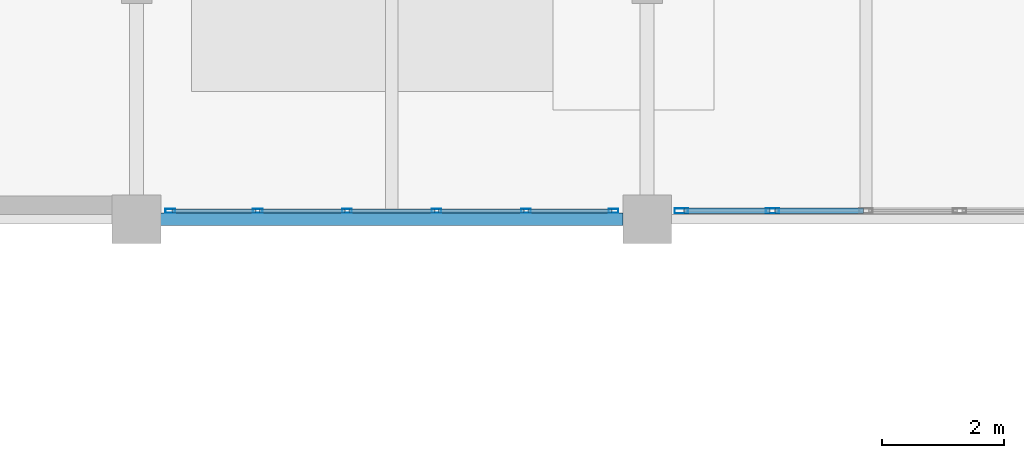
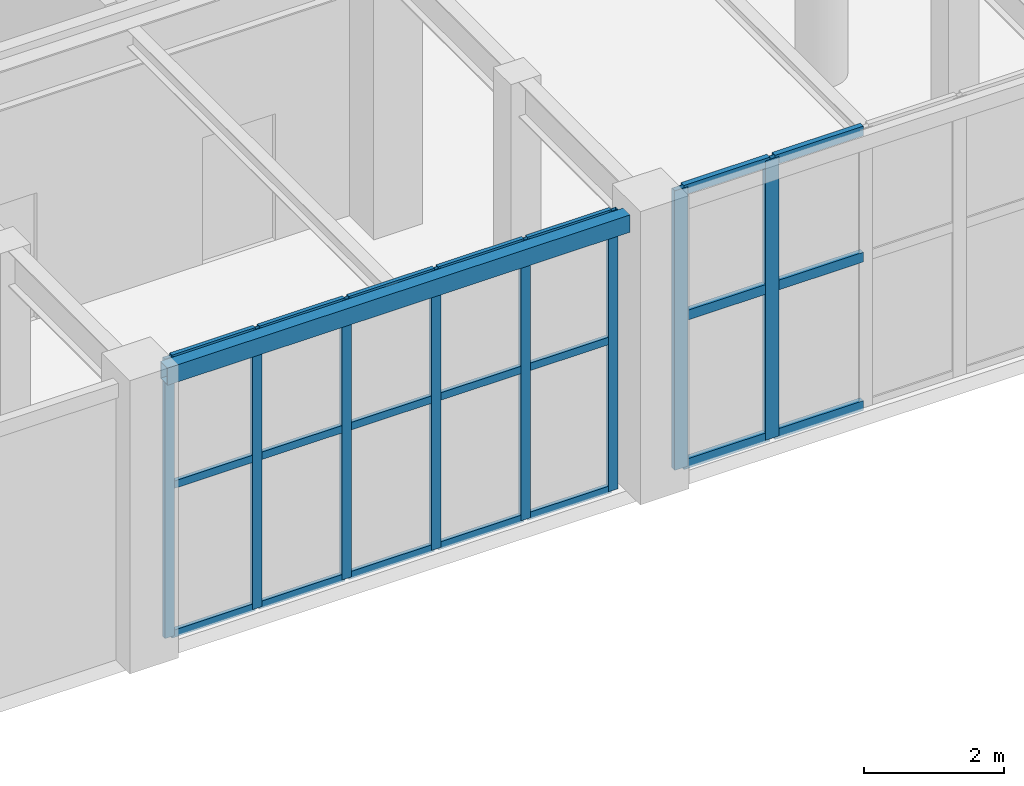
# One storey, part 41 of 128: 29 members, 1 beam, 2 elements without a shape of their own.
"""IFC4 building model written with IfcOpenShell, lengths in metres."""

from ifc_helpers import new_model, si_unit, direction, frame, origin, origin_2d, place, context, subcontext, project, spatial, hollow_rectangle, extrude, material, layer, layer_set, material_profile, profile_set, type_object, element, aggregate, save


model = new_model("IFC4")

# Units and contexts
model_context = context("Model", 3, precision=1e-05, world=origin(), true_north=direction((0.0, 1.0)))
body_context = subcontext(model_context, "Body", "Model", "MODEL_VIEW")
ifc_project = project(units=[si_unit("LENGTHUNIT", "METRE"), si_unit("AREAUNIT", "SQUARE_METRE"), si_unit("VOLUMEUNIT", "CUBIC_METRE"), si_unit("PLANEANGLEUNIT", "RADIAN"), si_unit("MASSUNIT", "GRAM", prefix="KILO")], contexts=[model_context])

# Site, building, storey
site_placement = place(None, origin())
site = spatial("IfcSite", under=ifc_project, at=site_placement, CompositionType="ELEMENT")
building_placement = place(site_placement, origin())
building = spatial("IfcBuilding", under=site, at=building_placement, Name="Xicomal Pleat Aquarium", CompositionType="ELEMENT")
storey_placement = place(building_placement, frame((0.0, 0.0, 5.39990234375)))
storey = spatial("IfcBuildingStorey", under=building, at=storey_placement, Name="L02", CompositionType="ELEMENT", Elevation=5.39990234375)

# Beam
ifc_material_1 = material(Name="Structural steel A500 Gr C", Category="steel")
ifc_material_profile_1 = material_profile(ifc_material_1, hollow_rectangle(XDim=0.199951171875, YDim=0.300048828125, WallThickness=0.011962890625, at=origin_2d()), Name="OR 300x200x12")
ifc_profile_set_1 = profile_set([ifc_material_profile_1], Name="Structural steel A500 Gr C")
beam_type = type_object("IfcBeamType", Name="BM-STL-OR300", PredefinedType="SPANDREL", material=ifc_profile_set_1)
beam_placement = place(storey_placement, frame((102.9951171875, 38.0, 4.710205078125), z_axis=(1.0, 0.0, 0.0), x_axis=(0.0, 1.0, 0.0)))
element("IfcBeam", 1, at=beam_placement, inside=storey, type_object=beam_type, Name="L02 framing beam FGX-L02-13-14-F", PredefinedType="SPANDREL", context=body_context, shape_type="SweptSolid", body=[
    extrude(hollow_rectangle(XDim=0.199951171875, YDim=0.300048828125, WallThickness=0.011962890625, at=origin_2d()), origin(), (0.0, 0.0, 1.0), 7.60986328125),
])

# Curtain wall, members
ifc_material_2 = material(Name="Bronze anodized aluminium 6063-T6", Category="aluminium")
ifc_layer_1 = layer(ifc_material_2, 0.159912109375)
ifc_layer_set_1 = layer_set([ifc_layer_1], Name="Bronze anodized aluminium 6063-T6")
curtain_wall_type_1 = type_object("IfcCurtainWallType", Name="CW-SYS-02", PredefinedType="NOTDEFINED", material=ifc_layer_set_1)
curtain_wall_1_placement = place(storey_placement, origin())
curtain_wall_1 = element("IfcCurtainWall", 2, at=curtain_wall_1_placement, inside=storey, type_object=curtain_wall_type_1, Name="L02 unitised curtain wall CW-L02-117", PredefinedType="NOTDEFINED")
ifc_material_3 = material(Name="Bronze anodized aluminium 6063-T6", Category="aluminium")
ifc_material_profile_2 = material_profile(ifc_material_3, hollow_rectangle(XDim=0.06494140625, YDim=0.159912109375, WallThickness=0.00390625, at=origin_2d()), Name="ALU MULL 65x160")
ifc_profile_set_2 = profile_set([ifc_material_profile_2], Name="Bronze anodized aluminium 6063-T6")
member_type_1 = type_object("IfcMemberType", Name="CWM-65x160", PredefinedType="MULLION", material=ifc_profile_set_2)
member_1_placement = place(storey_placement, frame((110.447509765625, 38.139892578125, 0.0), z_axis=(0.0, 0.0, 1.0), x_axis=(0.0, -1.0, 0.0)))
member_1 = element("IfcMember", 3, at=member_1_placement, type_object=member_type_1, Name="CW-02 mullion 1", PredefinedType="MULLION", context=body_context, shape_type="SweptSolid", body=[
    extrude(hollow_rectangle(XDim=0.06494140625, YDim=0.159912109375, WallThickness=0.00390625, at=origin_2d()), origin(), (0.0, 0.0, 1.0), 4.860107421875),
])
member_2_placement = place(storey_placement, frame((109.008056640625, 38.139892578125, 0.0), z_axis=(0.0, 0.0, 1.0), x_axis=(0.0, -1.0, 0.0)))
member_2 = element("IfcMember", 4, at=member_2_placement, type_object=member_type_1, Name="CW-02 mullion 2", PredefinedType="MULLION", context=body_context, shape_type="SweptSolid", body=[
    extrude(hollow_rectangle(XDim=0.06494140625, YDim=0.159912109375, WallThickness=0.00390625, at=origin_2d()), origin(), (0.0, 0.0, 1.0), 4.860107421875),
])
member_3_placement = place(storey_placement, frame((107.535888671875, 38.139892578125, 0.0), z_axis=(0.0, 0.0, 1.0), x_axis=(0.0, -1.0, 0.0)))
member_3 = element("IfcMember", 5, at=member_3_placement, type_object=member_type_1, Name="CW-02 mullion 3", PredefinedType="MULLION", context=body_context, shape_type="SweptSolid", body=[
    extrude(hollow_rectangle(XDim=0.06494140625, YDim=0.159912109375, WallThickness=0.00390625, at=origin_2d()), origin(), (0.0, 0.0, 1.0), 4.860107421875),
])
member_4_placement = place(storey_placement, frame((106.06396484375, 38.139892578125, 0.0), z_axis=(0.0, 0.0, 1.0), x_axis=(0.0, -1.0, 0.0)))
member_4 = element("IfcMember", 6, at=member_4_placement, type_object=member_type_1, Name="CW-02 mullion 4", PredefinedType="MULLION", context=body_context, shape_type="SweptSolid", body=[
    extrude(hollow_rectangle(XDim=0.06494140625, YDim=0.159912109375, WallThickness=0.00390625, at=origin_2d()), origin(), (0.0, 0.0, 1.0), 4.860107421875),
])
member_5_placement = place(storey_placement, frame((104.592041015625, 38.139892578125, 0.0), z_axis=(0.0, 0.0, 1.0), x_axis=(0.0, -1.0, 0.0)))
member_5 = element("IfcMember", 7, at=member_5_placement, type_object=member_type_1, Name="CW-02 mullion 5", PredefinedType="MULLION", context=body_context, shape_type="SweptSolid", body=[
    extrude(hollow_rectangle(XDim=0.06494140625, YDim=0.159912109375, WallThickness=0.00390625, at=origin_2d()), origin(), (0.0, 0.0, 1.0), 4.860107421875),
])
member_6_placement = place(storey_placement, frame((103.152587890625, 38.139892578125, 0.0), z_axis=(0.0, 0.0, 1.0), x_axis=(0.0, -1.0, 0.0)))
member_6 = element("IfcMember", 8, at=member_6_placement, type_object=member_type_1, Name="CW-02 mullion 6", PredefinedType="MULLION", context=body_context, shape_type="SweptSolid", body=[
    extrude(hollow_rectangle(XDim=0.06494140625, YDim=0.159912109375, WallThickness=0.00390625, at=origin_2d()), origin(), (0.0, 0.0, 1.0), 4.860107421875),
])

ifc_material_4 = material(Name="Bronze anodized aluminium 6063-T6", Category="aluminium")
ifc_layer_2 = layer(ifc_material_4, 0.159912109375)
ifc_layer_set_2 = layer_set([ifc_layer_2], Name="Bronze anodized aluminium 6063-T6")
curtain_wall_type_2 = type_object("IfcCurtainWallType", Name="CW-SYS-12", PredefinedType="NOTDEFINED", material=ifc_layer_set_2)
curtain_wall_2_placement = place(storey_placement, origin())
curtain_wall_2 = element("IfcCurtainWall", 9, at=curtain_wall_2_placement, inside=storey, type_object=curtain_wall_type_2, Name="L02 unitised curtain wall CW-L02-116", PredefinedType="NOTDEFINED")
ifc_material_5 = material(Name="Bronze anodized aluminium 6063-T6", Category="aluminium")
ifc_material_profile_3 = material_profile(ifc_material_5, hollow_rectangle(XDim=0.0849609375, YDim=0.219970703125, WallThickness=0.0048828125, at=origin_2d()), Name="ALU MULL 85x220")
ifc_profile_set_3 = profile_set([ifc_material_profile_3], Name="Bronze anodized aluminium 6063-T6")
member_type_2 = type_object("IfcMemberType", Name="CWM-85x220", PredefinedType="MULLION", material=ifc_profile_set_3)
member_7_placement = place(storey_placement, frame((113.06005859375, 38.139892578125, 0.0), z_axis=(0.0, 0.0, 1.0), x_axis=(0.0, -1.0, 0.0)))
member_7 = element("IfcMember", 10, at=member_7_placement, type_object=member_type_2, Name="CW-12 mullion 4", PredefinedType="MULLION", context=body_context, shape_type="SweptSolid", body=[
    extrude(hollow_rectangle(XDim=0.0849609375, YDim=0.219970703125, WallThickness=0.0048828125, at=origin_2d()), origin(), (0.0, 0.0, 1.0), 4.860107421875),
])
member_8_placement = place(storey_placement, frame((111.5625, 38.139892578125, 0.0), z_axis=(0.0, 0.0, 1.0), x_axis=(0.0, -1.0, 0.0)))
member_8 = element("IfcMember", 11, at=member_8_placement, type_object=member_type_2, Name="CW-12 mullion 5", PredefinedType="MULLION", context=body_context, shape_type="SweptSolid", body=[
    extrude(hollow_rectangle(XDim=0.0849609375, YDim=0.219970703125, WallThickness=0.0048828125, at=origin_2d()), origin(), (0.0, 0.0, 1.0), 4.860107421875),
])

# Member
ifc_material_6 = material(Name="Bronze anodized aluminium 6063-T6", Category="aluminium")
ifc_material_profile_4 = material_profile(ifc_material_6, hollow_rectangle(XDim=0.06494140625, YDim=0.1298828125, WallThickness=0.00390625, at=origin_2d()), Name="ALU TRAN 65x130")
ifc_profile_set_4 = profile_set([ifc_material_profile_4], Name="Bronze anodized aluminium 6063-T6")
member_type_3 = type_object("IfcMemberType", Name="CWT-65x130", PredefinedType="USERDEFINED", material=ifc_profile_set_4)
member_9_placement = place(storey_placement, frame((110.4150390625, 38.139892578125, 0.03271484375), z_axis=(-1.0, 0.0, 0.0), x_axis=(0.0, -1.0, 0.0)))
member_9 = element("IfcMember", 12, at=member_9_placement, type_object=member_type_3, Name="CW-02 transom 1.1", ObjectType="TRANSOM", PredefinedType="USERDEFINED", context=body_context, shape_type="SweptSolid", body=[
    extrude(hollow_rectangle(XDim=0.06494140625, YDim=0.1298828125, WallThickness=0.00390625, at=origin_2d()), origin(), (0.0, 0.0, 1.0), 1.37451171875),
])

member_10_placement = place(storey_placement, frame((110.4150390625, 38.139892578125, 2.6240234375), z_axis=(-1.0, 0.0, 0.0), x_axis=(0.0, -1.0, 0.0)))
member_10 = element("IfcMember", 13, at=member_10_placement, type_object=member_type_3, Name="CW-02 transom 1.2", ObjectType="TRANSOM", PredefinedType="USERDEFINED", context=body_context, shape_type="SweptSolid", body=[
    extrude(hollow_rectangle(XDim=0.06494140625, YDim=0.1298828125, WallThickness=0.00390625, at=origin_2d()), origin(), (0.0, 0.0, 1.0), 1.37451171875),
])

member_11_placement = place(storey_placement, frame((110.4150390625, 38.139892578125, 4.82763671875), z_axis=(-1.0, 0.0, 0.0), x_axis=(0.0, -1.0, 0.0)))
member_11 = element("IfcMember", 14, at=member_11_placement, type_object=member_type_3, Name="CW-02 transom 1.3", ObjectType="TRANSOM", PredefinedType="USERDEFINED", context=body_context, shape_type="SweptSolid", body=[
    extrude(hollow_rectangle(XDim=0.06494140625, YDim=0.1298828125, WallThickness=0.00390625, at=origin_2d()), origin(), (0.0, 0.0, 1.0), 1.37451171875),
])

member_12_placement = place(storey_placement, frame((108.9755859375, 38.139892578125, 0.03271484375), z_axis=(-1.0, 0.0, 0.0), x_axis=(0.0, -1.0, 0.0)))
member_12 = element("IfcMember", 15, at=member_12_placement, type_object=member_type_3, Name="CW-02 transom 2.1", ObjectType="TRANSOM", PredefinedType="USERDEFINED", context=body_context, shape_type="SweptSolid", body=[
    extrude(hollow_rectangle(XDim=0.06494140625, YDim=0.1298828125, WallThickness=0.00390625, at=origin_2d()), origin(), (0.0, 0.0, 1.0), 1.406982421875),
])

member_13_placement = place(storey_placement, frame((108.9755859375, 38.139892578125, 2.6240234375), z_axis=(-1.0, 0.0, 0.0), x_axis=(0.0, -1.0, 0.0)))
member_13 = element("IfcMember", 16, at=member_13_placement, type_object=member_type_3, Name="CW-02 transom 2.2", ObjectType="TRANSOM", PredefinedType="USERDEFINED", context=body_context, shape_type="SweptSolid", body=[
    extrude(hollow_rectangle(XDim=0.06494140625, YDim=0.1298828125, WallThickness=0.00390625, at=origin_2d()), origin(), (0.0, 0.0, 1.0), 1.406982421875),
])

member_14_placement = place(storey_placement, frame((108.9755859375, 38.139892578125, 4.82763671875), z_axis=(-1.0, 0.0, 0.0), x_axis=(0.0, -1.0, 0.0)))
member_14 = element("IfcMember", 17, at=member_14_placement, type_object=member_type_3, Name="CW-02 transom 2.3", ObjectType="TRANSOM", PredefinedType="USERDEFINED", context=body_context, shape_type="SweptSolid", body=[
    extrude(hollow_rectangle(XDim=0.06494140625, YDim=0.1298828125, WallThickness=0.00390625, at=origin_2d()), origin(), (0.0, 0.0, 1.0), 1.406982421875),
])

member_15_placement = place(storey_placement, frame((107.50341796875, 38.139892578125, 0.03271484375), z_axis=(-1.0, 0.0, 0.0), x_axis=(0.0, -1.0, 0.0)))
member_15 = element("IfcMember", 18, at=member_15_placement, type_object=member_type_3, Name="CW-02 transom 3.1", ObjectType="TRANSOM", PredefinedType="USERDEFINED", context=body_context, shape_type="SweptSolid", body=[
    extrude(hollow_rectangle(XDim=0.06494140625, YDim=0.1298828125, WallThickness=0.00390625, at=origin_2d()), origin(), (0.0, 0.0, 1.0), 1.406982421875),
])

member_16_placement = place(storey_placement, frame((107.50341796875, 38.139892578125, 2.6240234375), z_axis=(-1.0, 0.0, 0.0), x_axis=(0.0, -1.0, 0.0)))
member_16 = element("IfcMember", 19, at=member_16_placement, type_object=member_type_3, Name="CW-02 transom 3.2", ObjectType="TRANSOM", PredefinedType="USERDEFINED", context=body_context, shape_type="SweptSolid", body=[
    extrude(hollow_rectangle(XDim=0.06494140625, YDim=0.1298828125, WallThickness=0.00390625, at=origin_2d()), origin(), (0.0, 0.0, 1.0), 1.406982421875),
])

member_17_placement = place(storey_placement, frame((107.50341796875, 38.139892578125, 4.82763671875), z_axis=(-1.0, 0.0, 0.0), x_axis=(0.0, -1.0, 0.0)))
member_17 = element("IfcMember", 20, at=member_17_placement, type_object=member_type_3, Name="CW-02 transom 3.3", ObjectType="TRANSOM", PredefinedType="USERDEFINED", context=body_context, shape_type="SweptSolid", body=[
    extrude(hollow_rectangle(XDim=0.06494140625, YDim=0.1298828125, WallThickness=0.00390625, at=origin_2d()), origin(), (0.0, 0.0, 1.0), 1.406982421875),
])

member_18_placement = place(storey_placement, frame((106.031494140625, 38.139892578125, 0.03271484375), z_axis=(-1.0, 0.0, 0.0), x_axis=(0.0, -1.0, 0.0)))
member_18 = element("IfcMember", 21, at=member_18_placement, type_object=member_type_3, Name="CW-02 transom 4.1", ObjectType="TRANSOM", PredefinedType="USERDEFINED", context=body_context, shape_type="SweptSolid", body=[
    extrude(hollow_rectangle(XDim=0.06494140625, YDim=0.1298828125, WallThickness=0.00390625, at=origin_2d()), origin(), (0.0, 0.0, 1.0), 1.406982421875),
])

member_19_placement = place(storey_placement, frame((106.031494140625, 38.139892578125, 2.6240234375), z_axis=(-1.0, 0.0, 0.0), x_axis=(0.0, -1.0, 0.0)))
member_19 = element("IfcMember", 22, at=member_19_placement, type_object=member_type_3, Name="CW-02 transom 4.2", ObjectType="TRANSOM", PredefinedType="USERDEFINED", context=body_context, shape_type="SweptSolid", body=[
    extrude(hollow_rectangle(XDim=0.06494140625, YDim=0.1298828125, WallThickness=0.00390625, at=origin_2d()), origin(), (0.0, 0.0, 1.0), 1.406982421875),
])

member_20_placement = place(storey_placement, frame((106.031494140625, 38.139892578125, 4.82763671875), z_axis=(-1.0, 0.0, 0.0), x_axis=(0.0, -1.0, 0.0)))
member_20 = element("IfcMember", 23, at=member_20_placement, type_object=member_type_3, Name="CW-02 transom 4.3", ObjectType="TRANSOM", PredefinedType="USERDEFINED", context=body_context, shape_type="SweptSolid", body=[
    extrude(hollow_rectangle(XDim=0.06494140625, YDim=0.1298828125, WallThickness=0.00390625, at=origin_2d()), origin(), (0.0, 0.0, 1.0), 1.406982421875),
])

member_21_placement = place(storey_placement, frame((104.5595703125, 38.139892578125, 0.03271484375), z_axis=(-1.0, 0.0, 0.0), x_axis=(0.0, -1.0, 0.0)))
member_21 = element("IfcMember", 24, at=member_21_placement, type_object=member_type_3, Name="CW-02 transom 5.1", ObjectType="TRANSOM", PredefinedType="USERDEFINED", context=body_context, shape_type="SweptSolid", body=[
    extrude(hollow_rectangle(XDim=0.06494140625, YDim=0.1298828125, WallThickness=0.00390625, at=origin_2d()), origin(), (0.0, 0.0, 1.0), 1.37451171875),
])

member_22_placement = place(storey_placement, frame((104.5595703125, 38.139892578125, 2.6240234375), z_axis=(-1.0, 0.0, 0.0), x_axis=(0.0, -1.0, 0.0)))
member_22 = element("IfcMember", 25, at=member_22_placement, type_object=member_type_3, Name="CW-02 transom 5.2", ObjectType="TRANSOM", PredefinedType="USERDEFINED", context=body_context, shape_type="SweptSolid", body=[
    extrude(hollow_rectangle(XDim=0.06494140625, YDim=0.1298828125, WallThickness=0.00390625, at=origin_2d()), origin(), (0.0, 0.0, 1.0), 1.37451171875),
])

member_23_placement = place(storey_placement, frame((104.5595703125, 38.139892578125, 4.82763671875), z_axis=(-1.0, 0.0, 0.0), x_axis=(0.0, -1.0, 0.0)))
member_23 = element("IfcMember", 26, at=member_23_placement, type_object=member_type_3, Name="CW-02 transom 5.3", ObjectType="TRANSOM", PredefinedType="USERDEFINED", context=body_context, shape_type="SweptSolid", body=[
    extrude(hollow_rectangle(XDim=0.06494140625, YDim=0.1298828125, WallThickness=0.00390625, at=origin_2d()), origin(), (0.0, 0.0, 1.0), 1.37451171875),
])

aggregate(curtain_wall_1, [member_1, member_2, member_3, member_4, member_5, member_6, member_9, member_10, member_11, member_12, member_13, member_14, member_15, member_16, member_17, member_18, member_19, member_20, member_21, member_22, member_23])

ifc_material_7 = material(Name="Bronze anodized aluminium 6063-T6", Category="aluminium")
ifc_material_profile_5 = material_profile(ifc_material_7, hollow_rectangle(XDim=0.0849609375, YDim=0.169921875, WallThickness=0.0048828125, at=origin_2d()), Name="ALU TRAN 85x170")
ifc_profile_set_5 = profile_set([ifc_material_profile_5], Name="Bronze anodized aluminium 6063-T6")
member_type_4 = type_object("IfcMemberType", Name="CWT-85x170", PredefinedType="USERDEFINED", material=ifc_profile_set_5)
member_24_placement = place(storey_placement, frame((114.5576171875, 38.139892578125, 0.04248046875), z_axis=(-1.0, 0.0, 0.0), x_axis=(0.0, -1.0, 0.0)))
member_24 = element("IfcMember", 27, at=member_24_placement, type_object=member_type_4, Name="CW-12 transom 3.1", ObjectType="TRANSOM", PredefinedType="USERDEFINED", context=body_context, shape_type="SweptSolid", body=[
    extrude(hollow_rectangle(XDim=0.0849609375, YDim=0.169921875, WallThickness=0.0048828125, at=origin_2d()), origin(), (0.0, 0.0, 1.0), 1.455078125),
])

member_25_placement = place(storey_placement, frame((114.5576171875, 38.139892578125, 2.6240234375), z_axis=(-1.0, 0.0, 0.0), x_axis=(0.0, -1.0, 0.0)))
member_25 = element("IfcMember", 28, at=member_25_placement, type_object=member_type_4, Name="CW-12 transom 3.2", ObjectType="TRANSOM", PredefinedType="USERDEFINED", context=body_context, shape_type="SweptSolid", body=[
    extrude(hollow_rectangle(XDim=0.0849609375, YDim=0.169921875, WallThickness=0.0048828125, at=origin_2d()), origin(), (0.0, 0.0, 1.0), 1.455078125),
])

member_26_placement = place(storey_placement, frame((114.5576171875, 38.139892578125, 4.817626953125), z_axis=(-1.0, 0.0, 0.0), x_axis=(0.0, -1.0, 0.0)))
member_26 = element("IfcMember", 29, at=member_26_placement, type_object=member_type_4, Name="CW-12 transom 3.3", ObjectType="TRANSOM", PredefinedType="USERDEFINED", context=body_context, shape_type="SweptSolid", body=[
    extrude(hollow_rectangle(XDim=0.0849609375, YDim=0.169921875, WallThickness=0.0048828125, at=origin_2d()), origin(), (0.0, 0.0, 1.0), 1.455078125),
])

member_27_placement = place(storey_placement, frame((113.017578125, 38.139892578125, 0.04248046875), z_axis=(-1.0, 0.0, 0.0), x_axis=(0.0, -1.0, 0.0)))
member_27 = element("IfcMember", 30, at=member_27_placement, type_object=member_type_4, Name="CW-12 transom 4.1", ObjectType="TRANSOM", PredefinedType="USERDEFINED", context=body_context, shape_type="SweptSolid", body=[
    extrude(hollow_rectangle(XDim=0.0849609375, YDim=0.169921875, WallThickness=0.0048828125, at=origin_2d()), origin(), (0.0, 0.0, 1.0), 1.41259765625),
])

member_28_placement = place(storey_placement, frame((113.017578125, 38.139892578125, 2.6240234375), z_axis=(-1.0, 0.0, 0.0), x_axis=(0.0, -1.0, 0.0)))
member_28 = element("IfcMember", 31, at=member_28_placement, type_object=member_type_4, Name="CW-12 transom 4.2", ObjectType="TRANSOM", PredefinedType="USERDEFINED", context=body_context, shape_type="SweptSolid", body=[
    extrude(hollow_rectangle(XDim=0.0849609375, YDim=0.169921875, WallThickness=0.0048828125, at=origin_2d()), origin(), (0.0, 0.0, 1.0), 1.41259765625),
])

member_29_placement = place(storey_placement, frame((113.017578125, 38.139892578125, 4.817626953125), z_axis=(-1.0, 0.0, 0.0), x_axis=(0.0, -1.0, 0.0)))
member_29 = element("IfcMember", 32, at=member_29_placement, type_object=member_type_4, Name="CW-12 transom 4.3", ObjectType="TRANSOM", PredefinedType="USERDEFINED", context=body_context, shape_type="SweptSolid", body=[
    extrude(hollow_rectangle(XDim=0.0849609375, YDim=0.169921875, WallThickness=0.0048828125, at=origin_2d()), origin(), (0.0, 0.0, 1.0), 1.41259765625),
])

aggregate(curtain_wall_2, [member_7, member_8, member_24, member_25, member_26, member_27, member_28, member_29])

save(model, "model.ifc")
